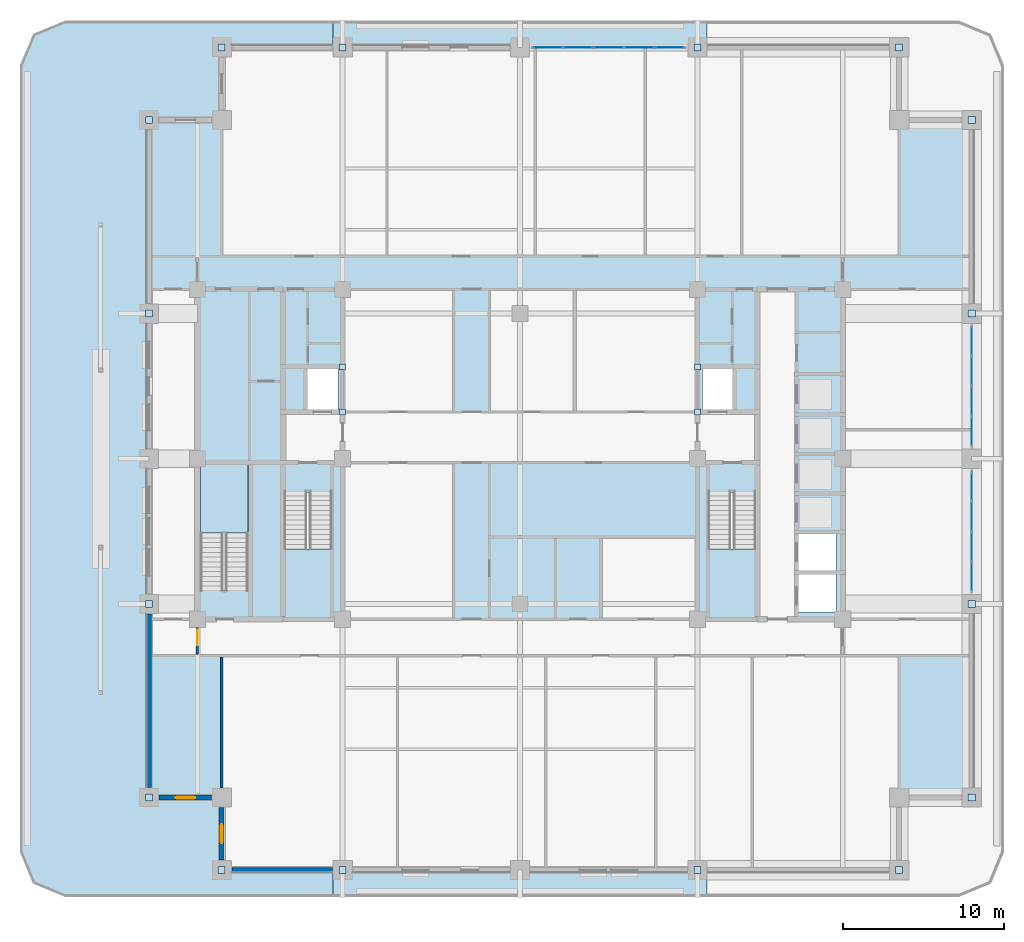
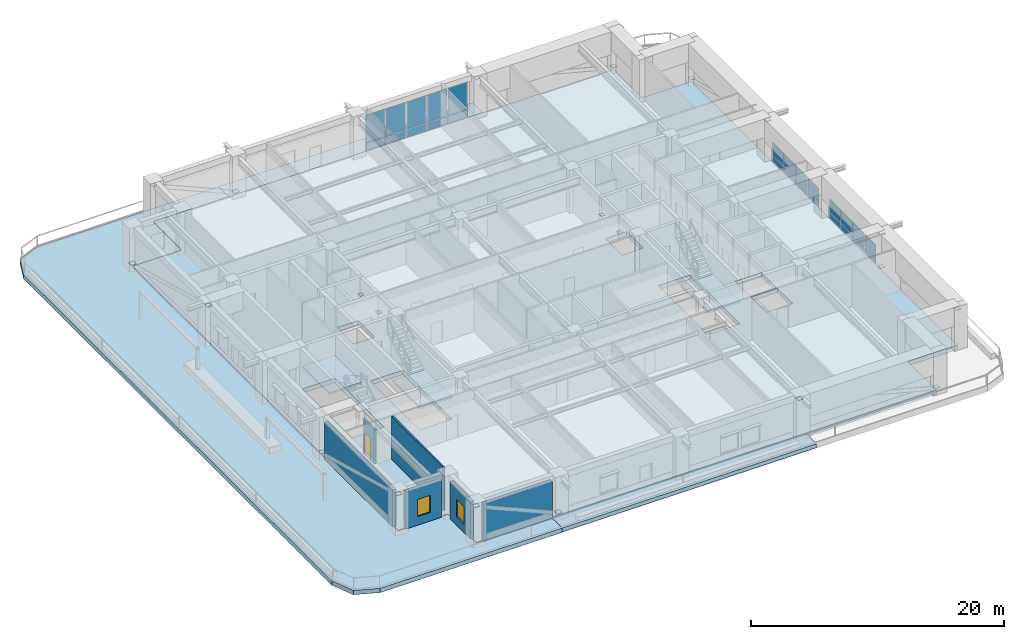
# One storey, part 7 of 21: 46 plates, 7 slabs, 6 walls, 2 windows, 1 door, 3 openings, 6 elements without a shape of their own.
"""IFC4 building model written with IfcOpenShell, lengths in metres."""

from ifc_helpers import new_model, si_unit, direction, frame, frame_2d, origin, origin_2d, place, context, subcontext, project, spatial, polyline, rectangle, outline, extrude, material, layer, layer_set, type_object, element, fill, aggregate, save


model = new_model("IFC4")

# Units and contexts
model_context = context("Model", 3, precision=1e-05, world=origin(), true_north=direction((0.0, 1.0)))
body_context = subcontext(model_context, "Body", "Model", "MODEL_VIEW")
ifc_project = project(units=[si_unit("LENGTHUNIT", "METRE"), si_unit("AREAUNIT", "SQUARE_METRE"), si_unit("VOLUMEUNIT", "CUBIC_METRE"), si_unit("PLANEANGLEUNIT", "RADIAN"), si_unit("MASSUNIT", "GRAM", prefix="KILO")], contexts=[model_context])

# Site, building, storey
site_placement = place(None, origin())
site = spatial("IfcSite", under=ifc_project, at=site_placement, CompositionType="ELEMENT")
building_placement = place(site_placement, origin())
building = spatial("IfcBuilding", under=site, at=building_placement, Name="Zulmaris Gate Convention Tower", CompositionType="ELEMENT")
storey_placement = place(building_placement, frame((0.0, 0.0, 86.93994140625)))
storey = spatial("IfcBuildingStorey", under=building, at=storey_placement, Name="L21", CompositionType="ELEMENT", Elevation=86.93994140625)

# Curtain wall, plates
ifc_material_1 = material(Name="Anodised Aluminium", Category="aluminium")
curtain_wall_type = type_object("IfcCurtainWallType", Name="CW-04", PredefinedType="NOTDEFINED", material=ifc_material_1)
curtain_wall_1_placement = place(storey_placement, origin())
curtain_wall_1 = element("IfcCurtainWall", 1, at=curtain_wall_1_placement, inside=storey, type_object=curtain_wall_type, Name="CW-04 CW04-L21-N-2_0", PredefinedType="NOTDEFINED")
ifc_material_2 = material(Name="Low-E Double Glazing", Category="glass")
ifc_layer_1 = layer(ifc_material_2, 0.028076171875, Name="Low-E Double Glazing")
ifc_layer_set_1 = layer_set([ifc_layer_1], Name="Low-E Double Glazing")
plate_type_1 = type_object("IfcPlateType", Name="CW-04-VISION", PredefinedType="CURTAIN_PANEL", material=ifc_layer_set_1)
plate_1_placement = place(storey_placement, frame((9.26953125, 25.5, 0.074951171875), z_axis=(0.0, 0.0, 1.0), x_axis=(-1.0, 0.0, 0.0)))
plate_1 = element("IfcPlate", 2, at=plate_1_placement, type_object=plate_type_1, Name="CW-04 panel 1.1", PredefinedType="CURTAIN_PANEL", context=body_context, shape_type="SweptSolid", body=[
    extrude(rectangle(XDim=1.760986328125, YDim=0.028076171875, at=origin_2d()), origin(), (0.0, 0.0, 1.0), 0.6875),
])
plate_2_placement = place(storey_placement, frame((9.26953125, 25.5, 0.83740234375), z_axis=(0.0, 0.0, 1.0), x_axis=(-1.0, 0.0, 0.0)))
plate_2 = element("IfcPlate", 3, at=plate_2_placement, type_object=plate_type_1, Name="CW-04 panel 1.2", PredefinedType="CURTAIN_PANEL", context=body_context, shape_type="SweptSolid", body=[
    extrude(rectangle(XDim=1.760986328125, YDim=0.028076171875, at=origin_2d()), origin(), (0.0, 0.0, 1.0), 2.6494140625),
])
plate_3_placement = place(storey_placement, frame((7.39599609375, 25.5, 0.074951171875), z_axis=(0.0, 0.0, 1.0), x_axis=(-1.0, 0.0, 0.0)))
plate_3 = element("IfcPlate", 4, at=plate_3_placement, type_object=plate_type_1, Name="CW-04 panel 2.1", PredefinedType="CURTAIN_PANEL", context=body_context, shape_type="SweptSolid", body=[
    extrude(rectangle(XDim=1.805908203125, YDim=0.028076171875, at=origin_2d()), origin(), (0.0, 0.0, 1.0), 0.6875),
])
plate_4_placement = place(storey_placement, frame((7.39599609375, 25.5, 0.83740234375), z_axis=(0.0, 0.0, 1.0), x_axis=(-1.0, 0.0, 0.0)))
plate_4 = element("IfcPlate", 5, at=plate_4_placement, type_object=plate_type_1, Name="CW-04 panel 2.2", PredefinedType="CURTAIN_PANEL", context=body_context, shape_type="SweptSolid", body=[
    extrude(rectangle(XDim=1.805908203125, YDim=0.028076171875, at=origin_2d()), origin(), (0.0, 0.0, 1.0), 2.6494140625),
])
plate_5_placement = place(storey_placement, frame((5.5, 25.5, 0.074951171875), z_axis=(0.0, 0.0, 1.0), x_axis=(-1.0, 0.0, 0.0)))
plate_5 = element("IfcPlate", 6, at=plate_5_placement, type_object=plate_type_1, Name="CW-04 panel 3.1", PredefinedType="CURTAIN_PANEL", context=body_context, shape_type="SweptSolid", body=[
    extrude(rectangle(XDim=1.805908203125, YDim=0.028076171875, at=origin_2d()), origin(), (0.0, 0.0, 1.0), 0.6875),
])
plate_6_placement = place(storey_placement, frame((5.5, 25.5, 0.83740234375), z_axis=(0.0, 0.0, 1.0), x_axis=(-1.0, 0.0, 0.0)))
plate_6 = element("IfcPlate", 7, at=plate_6_placement, type_object=plate_type_1, Name="CW-04 panel 3.2", PredefinedType="CURTAIN_PANEL", context=body_context, shape_type="SweptSolid", body=[
    extrude(rectangle(XDim=1.805908203125, YDim=0.028076171875, at=origin_2d()), origin(), (0.0, 0.0, 1.0), 2.6494140625),
])
plate_7_placement = place(storey_placement, frame((3.60400390625, 25.5, 0.074951171875), z_axis=(0.0, 0.0, 1.0), x_axis=(-1.0, 0.0, 0.0)))
plate_7 = element("IfcPlate", 8, at=plate_7_placement, type_object=plate_type_1, Name="CW-04 panel 4.1", PredefinedType="CURTAIN_PANEL", context=body_context, shape_type="SweptSolid", body=[
    extrude(rectangle(XDim=1.805908203125, YDim=0.028076171875, at=origin_2d()), origin(), (0.0, 0.0, 1.0), 0.6875),
])
plate_8_placement = place(storey_placement, frame((3.60400390625, 25.5, 0.83740234375), z_axis=(0.0, 0.0, 1.0), x_axis=(-1.0, 0.0, 0.0)))
plate_8 = element("IfcPlate", 9, at=plate_8_placement, type_object=plate_type_1, Name="CW-04 panel 4.2", PredefinedType="CURTAIN_PANEL", context=body_context, shape_type="SweptSolid", body=[
    extrude(rectangle(XDim=1.805908203125, YDim=0.028076171875, at=origin_2d()), origin(), (0.0, 0.0, 1.0), 2.6494140625),
])
plate_9_placement = place(storey_placement, frame((1.73046875, 25.5, 0.074951171875), z_axis=(0.0, 0.0, 1.0), x_axis=(-1.0, 0.0, 0.0)))
plate_9 = element("IfcPlate", 10, at=plate_9_placement, type_object=plate_type_1, Name="CW-04 panel 5.1", PredefinedType="CURTAIN_PANEL", context=body_context, shape_type="SweptSolid", body=[
    extrude(rectangle(XDim=1.760986328125, YDim=0.028076171875, at=origin_2d()), origin(), (0.0, 0.0, 1.0), 0.6875),
])
plate_10_placement = place(storey_placement, frame((1.73046875, 25.5, 0.83740234375), z_axis=(0.0, 0.0, 1.0), x_axis=(-1.0, 0.0, 0.0)))
plate_10 = element("IfcPlate", 11, at=plate_10_placement, type_object=plate_type_1, Name="CW-04 panel 5.2", PredefinedType="CURTAIN_PANEL", context=body_context, shape_type="SweptSolid", body=[
    extrude(rectangle(XDim=1.760986328125, YDim=0.028076171875, at=origin_2d()), origin(), (0.0, 0.0, 1.0), 2.6494140625),
])
aggregate(curtain_wall_1, [plate_1, plate_2, plate_3, plate_4, plate_5, plate_6, plate_7, plate_8, plate_9, plate_10])

curtain_wall_2_placement = place(storey_placement, origin())
curtain_wall_2 = element("IfcCurtainWall", 12, at=curtain_wall_2_placement, inside=storey, type_object=curtain_wall_type, Name="CW-04 CW04-L21-E-1_0", PredefinedType="NOTDEFINED")
plate_11_placement = place(storey_placement, frame((28.0, -7.282470703125, 0.07470703125), z_axis=(0.0, 0.0, 1.0), x_axis=(0.0, 1.0, 0.0)))
plate_11 = element("IfcPlate", 13, at=plate_11_placement, type_object=plate_type_1, Name="CW-04 panel 1.1", PredefinedType="CURTAIN_PANEL", context=body_context, shape_type="SweptSolid", body=[
    extrude(rectangle(XDim=1.735107421875, YDim=0.028076171875, at=origin_2d()), origin(), (0.0, 0.0, 1.0), 0.515380859375),
])
plate_12_placement = place(storey_placement, frame((28.0, -7.282470703125, 0.665283203125), z_axis=(0.0, 0.0, 1.0), x_axis=(0.0, 1.0, 0.0)))
plate_12 = element("IfcPlate", 14, at=plate_12_placement, type_object=plate_type_1, Name="CW-04 panel 1.2", PredefinedType="CURTAIN_PANEL", context=body_context, shape_type="SweptSolid", body=[
    extrude(rectangle(XDim=1.735107421875, YDim=0.028076171875, at=origin_2d()), origin(), (0.0, 0.0, 1.0), 1.2216796875),
])
plate_13_placement = place(storey_placement, frame((28.0, -5.43505859375, 0.07470703125), z_axis=(0.0, 0.0, 1.0), x_axis=(0.0, 1.0, 0.0)))
plate_13 = element("IfcPlate", 15, at=plate_13_placement, type_object=plate_type_1, Name="CW-04 panel 2.1", PredefinedType="CURTAIN_PANEL", context=body_context, shape_type="SweptSolid", body=[
    extrude(rectangle(XDim=1.780029296875, YDim=0.028076171875, at=origin_2d()), origin(), (0.0, 0.0, 1.0), 0.515380859375),
])
plate_14_placement = place(storey_placement, frame((28.0, -5.43505859375, 0.665283203125), z_axis=(0.0, 0.0, 1.0), x_axis=(0.0, 1.0, 0.0)))
plate_14 = element("IfcPlate", 16, at=plate_14_placement, type_object=plate_type_1, Name="CW-04 panel 2.2", PredefinedType="CURTAIN_PANEL", context=body_context, shape_type="SweptSolid", body=[
    extrude(rectangle(XDim=1.780029296875, YDim=0.028076171875, at=origin_2d()), origin(), (0.0, 0.0, 1.0), 1.2216796875),
])
plate_15_placement = place(storey_placement, frame((28.0, -3.56494140625, 0.07470703125), z_axis=(0.0, 0.0, 1.0), x_axis=(0.0, 1.0, 0.0)))
plate_15 = element("IfcPlate", 17, at=plate_15_placement, type_object=plate_type_1, Name="CW-04 panel 3.1", PredefinedType="CURTAIN_PANEL", context=body_context, shape_type="SweptSolid", body=[
    extrude(rectangle(XDim=1.780029296875, YDim=0.028076171875, at=origin_2d()), origin(), (0.0, 0.0, 1.0), 0.515380859375),
])
plate_16_placement = place(storey_placement, frame((28.0, -3.56494140625, 0.665283203125), z_axis=(0.0, 0.0, 1.0), x_axis=(0.0, 1.0, 0.0)))
plate_16 = element("IfcPlate", 18, at=plate_16_placement, type_object=plate_type_1, Name="CW-04 panel 3.2", PredefinedType="CURTAIN_PANEL", context=body_context, shape_type="SweptSolid", body=[
    extrude(rectangle(XDim=1.780029296875, YDim=0.028076171875, at=origin_2d()), origin(), (0.0, 0.0, 1.0), 1.2216796875),
])
plate_17_placement = place(storey_placement, frame((28.0, -1.717529296875, 0.07470703125), z_axis=(0.0, 0.0, 1.0), x_axis=(0.0, 1.0, 0.0)))
plate_17 = element("IfcPlate", 19, at=plate_17_placement, type_object=plate_type_1, Name="CW-04 panel 4.1", PredefinedType="CURTAIN_PANEL", context=body_context, shape_type="SweptSolid", body=[
    extrude(rectangle(XDim=1.735107421875, YDim=0.028076171875, at=origin_2d()), origin(), (0.0, 0.0, 1.0), 0.515380859375),
])
plate_18_placement = place(storey_placement, frame((28.0, -1.717529296875, 0.665283203125), z_axis=(0.0, 0.0, 1.0), x_axis=(0.0, 1.0, 0.0)))
plate_18 = element("IfcPlate", 20, at=plate_18_placement, type_object=plate_type_1, Name="CW-04 panel 4.2", PredefinedType="CURTAIN_PANEL", context=body_context, shape_type="SweptSolid", body=[
    extrude(rectangle(XDim=1.735107421875, YDim=0.028076171875, at=origin_2d()), origin(), (0.0, 0.0, 1.0), 1.2216796875),
])
aggregate(curtain_wall_2, [plate_11, plate_12, plate_13, plate_14, plate_15, plate_16, plate_17, plate_18])

curtain_wall_3_placement = place(storey_placement, origin())
curtain_wall_3 = element("IfcCurtainWall", 21, at=curtain_wall_3_placement, inside=storey, type_object=curtain_wall_type, Name="CW-04 CW04-L21-E-2_0", PredefinedType="NOTDEFINED")
plate_19_placement = place(storey_placement, frame((28.0, 1.717529296875, 0.07470703125), z_axis=(0.0, 0.0, 1.0), x_axis=(0.0, 1.0, 0.0)))
plate_19 = element("IfcPlate", 22, at=plate_19_placement, type_object=plate_type_1, Name="CW-04 panel 1.1", PredefinedType="CURTAIN_PANEL", context=body_context, shape_type="SweptSolid", body=[
    extrude(rectangle(XDim=1.735107421875, YDim=0.028076171875, at=origin_2d()), origin(), (0.0, 0.0, 1.0), 0.515380859375),
])
plate_20_placement = place(storey_placement, frame((28.0, 1.717529296875, 0.665283203125), z_axis=(0.0, 0.0, 1.0), x_axis=(0.0, 1.0, 0.0)))
plate_20 = element("IfcPlate", 23, at=plate_20_placement, type_object=plate_type_1, Name="CW-04 panel 1.2", PredefinedType="CURTAIN_PANEL", context=body_context, shape_type="SweptSolid", body=[
    extrude(rectangle(XDim=1.735107421875, YDim=0.028076171875, at=origin_2d()), origin(), (0.0, 0.0, 1.0), 1.2216796875),
])
plate_21_placement = place(storey_placement, frame((28.0, 3.56494140625, 0.07470703125), z_axis=(0.0, 0.0, 1.0), x_axis=(0.0, 1.0, 0.0)))
plate_21 = element("IfcPlate", 24, at=plate_21_placement, type_object=plate_type_1, Name="CW-04 panel 2.1", PredefinedType="CURTAIN_PANEL", context=body_context, shape_type="SweptSolid", body=[
    extrude(rectangle(XDim=1.780029296875, YDim=0.028076171875, at=origin_2d()), origin(), (0.0, 0.0, 1.0), 0.515380859375),
])
plate_22_placement = place(storey_placement, frame((28.0, 3.56494140625, 0.665283203125), z_axis=(0.0, 0.0, 1.0), x_axis=(0.0, 1.0, 0.0)))
plate_22 = element("IfcPlate", 25, at=plate_22_placement, type_object=plate_type_1, Name="CW-04 panel 2.2", PredefinedType="CURTAIN_PANEL", context=body_context, shape_type="SweptSolid", body=[
    extrude(rectangle(XDim=1.780029296875, YDim=0.028076171875, at=origin_2d()), origin(), (0.0, 0.0, 1.0), 1.2216796875),
])
plate_23_placement = place(storey_placement, frame((28.0, 5.43505859375, 0.07470703125), z_axis=(0.0, 0.0, 1.0), x_axis=(0.0, 1.0, 0.0)))
plate_23 = element("IfcPlate", 26, at=plate_23_placement, type_object=plate_type_1, Name="CW-04 panel 3.1", PredefinedType="CURTAIN_PANEL", context=body_context, shape_type="SweptSolid", body=[
    extrude(rectangle(XDim=1.780029296875, YDim=0.028076171875, at=origin_2d()), origin(), (0.0, 0.0, 1.0), 0.515380859375),
])
plate_24_placement = place(storey_placement, frame((28.0, 5.43505859375, 0.665283203125), z_axis=(0.0, 0.0, 1.0), x_axis=(0.0, 1.0, 0.0)))
plate_24 = element("IfcPlate", 27, at=plate_24_placement, type_object=plate_type_1, Name="CW-04 panel 3.2", PredefinedType="CURTAIN_PANEL", context=body_context, shape_type="SweptSolid", body=[
    extrude(rectangle(XDim=1.780029296875, YDim=0.028076171875, at=origin_2d()), origin(), (0.0, 0.0, 1.0), 1.2216796875),
])
plate_25_placement = place(storey_placement, frame((28.0, 7.282470703125, 0.07470703125), z_axis=(0.0, 0.0, 1.0), x_axis=(0.0, 1.0, 0.0)))
plate_25 = element("IfcPlate", 28, at=plate_25_placement, type_object=plate_type_1, Name="CW-04 panel 4.1", PredefinedType="CURTAIN_PANEL", context=body_context, shape_type="SweptSolid", body=[
    extrude(rectangle(XDim=1.735107421875, YDim=0.028076171875, at=origin_2d()), origin(), (0.0, 0.0, 1.0), 0.515380859375),
])
plate_26_placement = place(storey_placement, frame((28.0, 7.282470703125, 0.665283203125), z_axis=(0.0, 0.0, 1.0), x_axis=(0.0, 1.0, 0.0)))
plate_26 = element("IfcPlate", 29, at=plate_26_placement, type_object=plate_type_1, Name="CW-04 panel 4.2", PredefinedType="CURTAIN_PANEL", context=body_context, shape_type="SweptSolid", body=[
    extrude(rectangle(XDim=1.735107421875, YDim=0.028076171875, at=origin_2d()), origin(), (0.0, 0.0, 1.0), 1.2216796875),
])
aggregate(curtain_wall_3, [plate_19, plate_20, plate_21, plate_22, plate_23, plate_24, plate_25, plate_26])

# Plates
ifc_material_3 = material(Name="Steel S460", Category="steel")
ifc_layer_2 = layer(ifc_material_3, 0.02197265625, Name="Steel S460")
ifc_layer_set_2 = layer_set([ifc_layer_2], Name="Steel S460")
plate_type_2 = type_object("IfcPlateType", Name="NP-CAP-360", PredefinedType="USERDEFINED", material=ifc_layer_set_2)
for number, where, z_axis, x_axis, name in (
    (30, (-11.0, 2.89990234375, 2.3388671875), (0.0, 0.0, 1.0), (1.0, 0.0, 0.0), "L21 Steel Node Plate LN-L21-1-CAP0"),
    (31, (-11.0, 5.699951171875, 2.3388671875), (0.0, 0.0, 1.0), (1.0, 0.0, 0.0), "L21 Steel Node Plate LN-L21-1-CAP1"),
    (32, (11.0, 2.89990234375, 2.3388671875), (0.0, 0.0, 1.0), (1.0, 0.0, 0.0), "L21 Steel Node Plate LN-L21-2-CAP0"),
    (33, (11.0, 5.699951171875, 2.3388671875), (0.0, 0.0, 1.0), (1.0, 0.0, 0.0), "L21 Steel Node Plate LN-L21-2-CAP1"),
):
    element("IfcPlate", number, at=place(storey_placement, frame(where, z_axis=z_axis, x_axis=x_axis)), inside=storey, type_object=plate_type_2, Name=name, ObjectType="FLANGE PLATE", PredefinedType="USERDEFINED", context=body_context, shape_type="SweptSolid", body=[
        extrude(rectangle(XDim=0.360107421875, YDim=0.360107421875, at=origin_2d()), origin(), (0.0, 0.0, 1.0), 0.02197265625),
    ])
ifc_layer_3 = layer(ifc_material_3, 0.02490234375, Name="Steel S460")
ifc_layer_set_3 = layer_set([ifc_layer_3], Name="Steel S460")
plate_type_3 = type_object("IfcPlateType", Name="NP-CAP-440", PredefinedType="USERDEFINED", material=ifc_layer_set_3)
for number, where, z_axis, x_axis, name in (
    (34, (-23.0, -9.0, 0.28759765625), (0.0, 0.0, 1.0), (1.0, 0.0, 0.0), "L21 Steel Node Plate PBR-L21-SW-W-CAP"),
    (35, (-23.0, -21.0, 3.53759765625), (0.0, 0.0, 1.0), (1.0, 0.0, 0.0), "L21 Steel Node Plate PBR-L21-SW-W-CAPB"),
    (36, (-23.0, 21.0, 0.28759765625), (0.0, 0.0, 1.0), (1.0, 0.0, 0.0), "L21 Steel Node Plate PBR-L21-NW-W-CAP"),
    (37, (-23.0, 9.0, 3.53759765625), (0.0, 0.0, 1.0), (1.0, 0.0, 0.0), "L21 Steel Node Plate PBR-L21-NW-W-CAPB"),
    (38, (28.0, -9.0, 0.28759765625), (0.0, 0.0, 1.0), (1.0, 0.0, 0.0), "L21 Steel Node Plate PBR-L21-SE-E-CAP"),
    (39, (28.0, -21.0, 3.53759765625), (0.0, 0.0, 1.0), (1.0, 0.0, 0.0), "L21 Steel Node Plate PBR-L21-SE-E-CAPB"),
    (40, (28.0, 21.0, 0.28759765625), (0.0, 0.0, 1.0), (1.0, 0.0, 0.0), "L21 Steel Node Plate PBR-L21-NE-E-CAP"),
    (41, (28.0, 9.0, 3.53759765625), (0.0, 0.0, 1.0), (1.0, 0.0, 0.0), "L21 Steel Node Plate PBR-L21-NE-E-CAPB"),
    (42, (-11.0, -25.5, 0.28759765625), (0.0, 0.0, 1.0), (1.0, 0.0, 0.0), "L21 Steel Node Plate PBR-L21-SW-S-CAP"),
    (43, (-18.5, -25.5, 3.53759765625), (0.0, 0.0, 1.0), (1.0, 0.0, 0.0), "L21 Steel Node Plate PBR-L21-SW-S-CAPB"),
    (44, (23.5, -25.5, 0.28759765625), (0.0, 0.0, 1.0), (1.0, 0.0, 0.0), "L21 Steel Node Plate PBR-L21-SE-S-CAP"),
    (45, (11.0, -25.5, 3.53759765625), (0.0, 0.0, 1.0), (1.0, 0.0, 0.0), "L21 Steel Node Plate PBR-L21-SE-S-CAPB"),
    (46, (-11.0, 25.5, 0.28759765625), (0.0, 0.0, 1.0), (1.0, 0.0, 0.0), "L21 Steel Node Plate PBR-L21-NW-N-CAP"),
    (47, (-18.5, 25.5, 3.53759765625), (0.0, 0.0, 1.0), (1.0, 0.0, 0.0), "L21 Steel Node Plate PBR-L21-NW-N-CAPB"),
    (48, (23.5, 25.5, 0.28759765625), (0.0, 0.0, 1.0), (1.0, 0.0, 0.0), "L21 Steel Node Plate PBR-L21-NE-N-CAP"),
    (49, (11.0, 25.5, 3.53759765625), (0.0, 0.0, 1.0), (1.0, 0.0, 0.0), "L21 Steel Node Plate PBR-L21-NE-N-CAPB"),
):
    element("IfcPlate", number, at=place(storey_placement, frame(where, z_axis=z_axis, x_axis=x_axis)), inside=storey, type_object=plate_type_3, Name=name, ObjectType="FLANGE PLATE", PredefinedType="USERDEFINED", context=body_context, shape_type="SweptSolid", body=[
        extrude(rectangle(XDim=0.43994140625, YDim=0.43994140625, at=origin_2d()), origin(), (0.0, 0.0, 1.0), 0.02490234375),
    ])

# Slab
ifc_material_4 = material(Name="Concrete C60/75", Category="concrete")
ifc_layer_4 = layer(ifc_material_4, 0.425048828125, Name="Concrete C60/75")
ifc_layer_set_4 = layer_set([ifc_layer_4], Name="Concrete C60/75")
slab_type_1 = type_object("IfcSlabType", Name="SL-FLR-425", PredefinedType="FLOOR", material=ifc_layer_set_4)
slab_1_placement = place(storey_placement, frame((0.0, 0.0, -0.425048828125)))
element("IfcSlab", 50, at=slab_1_placement, inside=storey, type_object=slab_type_1, Name="L21 Shifted Notched-Square Structural Floor Slab", PredefinedType="FLOOR", context=body_context, shape_type="SweptSolid", body=[
    extrude(outline(polyline([(-18.5, -25.5), (23.5, -25.5), (23.5, -21.0), (28.0, -21.0), (28.0, 21.0), (23.5, 21.0), (23.5, 25.5), (-18.5, 25.5), (-18.5, 21.0), (-23.0, 21.0), (-23.0, -21.0), (-18.5, -21.0), (-18.5, -25.5)]), holes=[polyline([(-14.6201171875, -2.080078125), (-14.6201171875, -9.85009765625), (-11.659912109375, -9.85009765625), (-11.659912109375, -2.080078125), (-14.6201171875, -2.080078125)]), polyline([(11.659912109375, -2.080078125), (11.659912109375, -9.85009765625), (14.6201171875, -9.85009765625), (14.6201171875, -2.080078125), (11.659912109375, -2.080078125)]), polyline([(-16.860107421875, -8.1201171875), (-16.860107421875, -0.35009765625), (-19.820068359375, -0.35009765625), (-19.820068359375, -8.1201171875), (-16.860107421875, -8.1201171875)]), polyline([(-13.199951171875, 3.0), (-11.300048828125, 3.0), (-11.300048828125, 5.60009765625), (-13.199951171875, 5.60009765625), (-13.199951171875, 3.0)]), polyline([(11.300048828125, 3.0), (13.199951171875, 3.0), (13.199951171875, 5.60009765625), (11.300048828125, 5.60009765625), (11.300048828125, 3.0)]), polyline([(17.199951171875, -9.5), (19.60009765625, -9.5), (19.60009765625, -7.10009765625), (17.199951171875, -7.10009765625), (17.199951171875, -9.5)]), polyline([(17.199951171875, -7.0), (19.60009765625, -7.0), (19.60009765625, -4.60009765625), (17.199951171875, -4.60009765625), (17.199951171875, -7.0)])]), origin(), (0.0, 0.0, 1.0), 0.425048828125),
])

# Stair, slab
ifc_material_5 = material(Name="Concrete C45/55", Category="concrete")
stair_type = type_object("IfcStairType", Name="ST-CORE-DOGLEG", PredefinedType="HALF_TURN_STAIR", material=ifc_material_5)
stair_1_placement = place(storey_placement, origin())
stair_1 = element("IfcStair", 51, at=stair_1_placement, inside=storey, type_object=stair_type, Name="L21 Core Exit Stair ST-1", PredefinedType="HALF_TURN_STAIR")
ifc_layer_5 = layer(ifc_material_5, 0.199951171875, Name="Concrete C45/55")
ifc_layer_set_5 = layer_set([ifc_layer_5], Name="Concrete C45/55")
slab_type_2 = type_object("IfcSlabType", Name="SL-LND-200", PredefinedType="LANDING", material=ifc_layer_set_5)
slab_2_placement = place(storey_placement, frame((0.0, 0.0, 2.010009765625)))
slab_2 = element("IfcSlab", 52, at=slab_2_placement, type_object=slab_type_2, Name="ST-1 landing 1", PredefinedType="LANDING", context=body_context, shape_type="SweptSolid", body=[
    extrude(outline(polyline([(-14.6201171875, -5.60009765625), (-14.6201171875, -9.85009765625), (-11.659912109375, -9.85009765625), (-11.659912109375, -5.60009765625), (-14.6201171875, -5.60009765625)])), origin(), (0.0, 0.0, 1.0), 0.199951171875),
])
aggregate(stair_1, [slab_2])

stair_2_placement = place(storey_placement, origin())
stair_2 = element("IfcStair", 53, at=stair_2_placement, inside=storey, type_object=stair_type, Name="L21 Core Exit Stair ST-2", PredefinedType="HALF_TURN_STAIR")
slab_3_placement = place(storey_placement, frame((0.0, 0.0, 2.010009765625)))
slab_3 = element("IfcSlab", 54, at=slab_3_placement, type_object=slab_type_2, Name="ST-2 landing 1", PredefinedType="LANDING", context=body_context, shape_type="SweptSolid", body=[
    extrude(outline(polyline([(11.659912109375, -5.60009765625), (11.659912109375, -9.85009765625), (14.6201171875, -9.85009765625), (14.6201171875, -5.60009765625), (11.659912109375, -5.60009765625)])), origin(), (0.0, 0.0, 1.0), 0.199951171875),
])
aggregate(stair_2, [slab_3])

stair_3_placement = place(storey_placement, origin())
stair_3 = element("IfcStair", 55, at=stair_3_placement, inside=storey, type_object=stair_type, Name="L21 Core Exit Stair ST-3", PredefinedType="HALF_TURN_STAIR")
slab_4_placement = place(storey_placement, frame((0.0, 0.0, 2.010009765625)))
slab_4 = element("IfcSlab", 56, at=slab_4_placement, type_object=slab_type_2, Name="ST-3 landing 1", PredefinedType="LANDING", context=body_context, shape_type="SweptSolid", body=[
    extrude(outline(polyline([(-16.860107421875, -4.60009765625), (-16.860107421875, -0.35009765625), (-19.820068359375, -0.35009765625), (-19.820068359375, -4.60009765625), (-16.860107421875, -4.60009765625)])), origin(), (0.0, 0.0, 1.0), 0.199951171875),
])
aggregate(stair_3, [slab_4])

# Slabs
ifc_material_6 = material(Name="Concrete C50/60", Category="concrete")
ifc_layer_6 = layer(ifc_material_6, 0.300048828125, Name="Concrete C50/60")
ifc_layer_set_6 = layer_set([ifc_layer_6], Name="Concrete C50/60")
slab_type_3 = type_object("IfcSlabType", Name="SL-SG-300", PredefinedType="FLOOR", material=ifc_layer_set_6)
slab_5_placement = place(storey_placement, frame((0.0, 0.0, -0.425048828125)))
element("IfcSlab", 57, at=slab_5_placement, inside=storey, type_object=slab_type_3, Name="L21 South Tree-Balcony Planter Slab", PredefinedType="FLOOR", context=body_context, shape_type="SweptSolid", body=[
    extrude(outline(polyline([(-11.597900390625, -27.14990234375), (-11.597900390625, -25.5), (11.597900390625, -25.5), (11.597900390625, -27.14990234375), (-11.597900390625, -27.14990234375)])), origin(), (0.0, 0.0, 1.0), 0.385009765625),
])
slab_6_placement = place(storey_placement, frame((0.0, 0.0, -0.425048828125)))
element("IfcSlab", 58, at=slab_6_placement, inside=storey, type_object=slab_type_3, Name="L21 North Tree-Balcony Planter Slab", PredefinedType="FLOOR", context=body_context, shape_type="SweptSolid", body=[
    extrude(outline(polyline([(11.597900390625, 27.14990234375), (11.597900390625, 25.5), (-11.597900390625, 25.5), (-11.597900390625, 27.14990234375), (11.597900390625, 27.14990234375)])), origin(), (0.0, 0.0, 1.0), 0.385009765625),
])
ifc_layer_7 = layer(ifc_material_6, 0.419921875, Name="Concrete C50/60")
ifc_layer_set_7 = layer_set([ifc_layer_7], Name="Concrete C50/60")
slab_type_4 = type_object("IfcSlabType", Name="SL-SG-420", PredefinedType="FLOOR", material=ifc_layer_set_7)
slab_7_placement = place(storey_placement, frame((0.0, 0.0, -0.4599609375)))
element("IfcSlab", 59, at=slab_7_placement, inside=storey, type_object=slab_type_4, Name="L21 West Block-End Planted Roof Terrace Slab", PredefinedType="FLOOR", context=body_context, shape_type="SweptSolid", body=[
    extrude(outline(polyline([(-31.0, 24.35009765625), (-30.179931640625, 26.329833984375), (-28.199951171875, 27.14990234375), (-11.60205078125, 27.14990234375), (-11.60205078125, 25.5), (-18.5, 25.5), (-18.5, 21.0), (-23.0, 21.0), (-23.0, -21.0), (-18.5, -21.0), (-18.5, -25.5), (-11.60205078125, -25.5), (-11.60205078125, -27.14990234375), (-28.199951171875, -27.14990234375), (-30.179931640625, -26.329833984375), (-31.0, -24.35009765625), (-31.0, 24.35009765625)])), origin(), (0.0, 0.0, 1.0), 0.419921875),
])

# Wall, opening, door
ifc_material_7 = material(Name="Gypsum Metal Stud Partition")
ifc_layer_8 = layer(ifc_material_7, 0.14990234375, Name="Gypsum Metal Stud Partition")
ifc_layer_set_8 = layer_set([ifc_layer_8], Name="Gypsum Metal Stud Partition")
wall_type_1 = type_object("IfcWallType", Name="PART-150", PredefinedType="PARTITIONING", material=ifc_layer_set_8)
wall_1_placement = place(storey_placement, frame((-20.0, -12.1220703125, 0.0), z_axis=(0.0, 0.0, 1.0), x_axis=(0.0, 1.0, 0.0)))
wall_1 = element("IfcWall", 60, at=wall_1_placement, inside=storey, type_object=wall_type_1, Name="WL-L21-073", PredefinedType="PARTITIONING", context=body_context, shape_type="SweptSolid", body=[
    extrude(rectangle(XDim=1.666015625, YDim=0.14990234375, at=frame_2d((0.8330078125, 0.0))), origin(), (0.0, 0.0, 1.0), 3.35986328125),
])
opening_1_placement = place(wall_1_placement, frame((0.56591796875, 0.0, 0.0)))
opening_1 = element("IfcOpeningElement", 61, at=opening_1_placement, cuts=wall_1, Name="Opening D-11", PredefinedType="OPENING", context=body_context, shape_type="SweptSolid", body=[
    extrude(rectangle(XDim=0.949951171875, YDim=2.14990234375, at=frame_2d((0.47509765625, 1.074951171875))), frame((0.0, 0.0849609375, 0.0), z_axis=(0.0, -1.0, 0.0), x_axis=(1.0, 0.0, 0.0)), (0.0, 0.0, 1.0), 0.169921875),
])
ifc_material_8 = material(Name="Fire-Rated Timber", Category="wood")
door_type = type_object("IfcDoorType", Name="DR-950-FD", OperationType="NOTDEFINED", PredefinedType="DOOR", material=ifc_material_8)
door_placement = place(opening_1_placement, origin())
door = element("IfcDoor", 62, at=door_placement, inside=storey, type_object=door_type, Name="L21 SW Spur Door 50", OperationType="SINGLE_SWING_RIGHT", OverallHeight=2.14990234375, OverallWidth=0.949951171875, PredefinedType="DOOR", context=body_context, shape_type="SweptSolid", body=[
    extrude(rectangle(XDim=0.949951171875, YDim=2.14990234375, at=frame_2d((0.47509765625, 1.074951171875))), frame((0.0, 0.02490234375, 0.0), z_axis=(0.0, -1.0, 0.0), x_axis=(1.0, 0.0, 0.0)), (0.0, 0.0, 1.0), 0.050048828125),
])
fill(opening_1, door)

# Wall
wall_2_placement = place(storey_placement, frame((-18.5, -20.39404296875, 0.0), z_axis=(0.0, 0.0, 1.0), x_axis=(0.0, 1.0, 0.0)))
element("IfcWall", 63, at=wall_2_placement, inside=storey, type_object=wall_type_1, Name="WL-L21-075", PredefinedType="PARTITIONING", context=body_context, shape_type="SweptSolid", body=[
    extrude(rectangle(XDim=8.115966796875, YDim=0.14990234375, at=frame_2d((4.05810546875, 0.0))), origin(), (0.0, 0.0, 1.0), 4.169921875),
])

# Wall, opening, window
ifc_material_9 = material(Name="Precast concrete C40/50", Category="concrete")
ifc_layer_9 = layer(ifc_material_9, 0.300048828125, Name="Precast concrete C40/50")
ifc_layer_set_9 = layer_set([ifc_layer_9], Name="Precast concrete C40/50")
wall_type_2 = type_object("IfcWallType", Name="PRECAST-PIER-300", PredefinedType="STANDARD", material=ifc_layer_set_9)
wall_3_placement = place(storey_placement, frame((-22.3701171875, -21.0, 0.0), z_axis=(0.0, 0.0, 1.0), x_axis=(1.0, 0.0, 0.0)))
wall_3 = element("IfcWall", 64, at=wall_3_placement, inside=storey, type_object=wall_type_2, Name="EW-L21-NOTCH-SW1_0", PredefinedType="STANDARD", context=body_context, shape_type="SweptSolid", body=[
    extrude(rectangle(XDim=3.240234375, YDim=0.300048828125, at=frame_2d((1.6201171875, 0.0))), origin(), (0.0, 0.0, 1.0), 3.56201171875),
])
opening_2_placement = place(wall_3_placement, frame((1.02001953125, 0.0, 0.820068359375)))
opening_2 = element("IfcOpeningElement", 65, at=opening_2_placement, cuts=wall_3, Name="Opening W-04", PredefinedType="OPENING", context=body_context, shape_type="SweptSolid", body=[
    extrude(rectangle(XDim=1.199951171875, YDim=1.64990234375, at=frame_2d((0.60009765625, 0.824951171875))), frame((0.0, 0.16015625, 0.0), z_axis=(0.0, -1.0, 0.0), x_axis=(1.0, 0.0, 0.0)), (0.0, 0.0, 1.0), 0.320068359375),
])
ifc_material_10 = material(Name="Low-E Laminated Double Glazing in Aluminium Frame", Category="aluminium")
window_type = type_object("IfcWindowType", Name="WIN-1200x2100", PartitioningType="SINGLE_PANEL", PredefinedType="WINDOW", material=ifc_material_10)
window_1_placement = place(opening_2_placement, origin())
window_1 = element("IfcWindow", 66, at=window_1_placement, inside=storey, type_object=window_type, Name="WN-EW-L21-NOTCH-SW1_0", OverallHeight=1.64990234375, OverallWidth=1.199951171875, PartitioningType="SINGLE_PANEL", PredefinedType="WINDOW", context=body_context, shape_type="SweptSolid", body=[
    extrude(rectangle(XDim=1.199951171875, YDim=1.64990234375, at=frame_2d((0.60009765625, 0.824951171875))), frame((0.0, 0.030029296875, 0.0), z_axis=(0.0, -1.0, 0.0), x_axis=(1.0, 0.0, 0.0)), (0.0, 0.0, 1.0), 0.06005859375),
])
fill(opening_2, window_1)

wall_4_placement = place(storey_placement, frame((-18.5, -21.6298828125, 0.0), z_axis=(0.0, 0.0, 1.0), x_axis=(0.0, -1.0, 0.0)))
wall_4 = element("IfcWall", 67, at=wall_4_placement, inside=storey, type_object=wall_type_2, Name="EW-L21-NOTCH-SW2_0", PredefinedType="STANDARD", context=body_context, shape_type="SweptSolid", body=[
    extrude(rectangle(XDim=3.240234375, YDim=0.300048828125, at=frame_2d((1.6201171875, 0.0))), origin(), (0.0, 0.0, 1.0), 3.56201171875),
])
opening_3_placement = place(wall_4_placement, frame((1.02001953125, 0.0, 0.820068359375)))
opening_3 = element("IfcOpeningElement", 68, at=opening_3_placement, cuts=wall_4, Name="Opening W-04", PredefinedType="OPENING", context=body_context, shape_type="SweptSolid", body=[
    extrude(rectangle(XDim=1.199951171875, YDim=1.64990234375, at=frame_2d((0.60009765625, 0.824951171875))), frame((0.0, 0.16015625, 0.0), z_axis=(0.0, -1.0, 0.0), x_axis=(1.0, 0.0, 0.0)), (0.0, 0.0, 1.0), 0.320068359375),
])
window_2_placement = place(opening_3_placement, origin())
window_2 = element("IfcWindow", 69, at=window_2_placement, inside=storey, type_object=window_type, Name="WN-EW-L21-NOTCH-SW2_0", OverallHeight=1.64990234375, OverallWidth=1.199951171875, PartitioningType="SINGLE_PANEL", PredefinedType="WINDOW", context=body_context, shape_type="SweptSolid", body=[
    extrude(rectangle(XDim=1.199951171875, YDim=1.64990234375, at=frame_2d((0.60009765625, 0.824951171875))), frame((0.0, 0.030029296875, 0.0), z_axis=(0.0, -1.0, 0.0), x_axis=(1.0, 0.0, 0.0)), (0.0, 0.0, 1.0), 0.06005859375),
])
fill(opening_3, window_2)

# Walls
wall_5_placement = place(storey_placement, frame((-17.8701171875, -25.5, 0.0), z_axis=(0.0, 0.0, 1.0), x_axis=(1.0, 0.0, 0.0)))
element("IfcWall", 70, at=wall_5_placement, inside=storey, type_object=wall_type_2, Name="EW-L21-S-0_0", PredefinedType="STANDARD", context=body_context, shape_type="SweptSolid", body=[
    extrude(rectangle(XDim=6.240234375, YDim=0.300048828125, at=frame_2d((3.1201171875, 0.0))), origin(), (0.0, 0.0, 1.0), 3.56201171875),
])
wall_6_placement = place(storey_placement, frame((-23.0, -9.6298828125, 0.0), z_axis=(0.0, 0.0, 1.0), x_axis=(0.0, -1.0, 0.0)))
element("IfcWall", 71, at=wall_6_placement, inside=storey, type_object=wall_type_2, Name="EW-L21-W-0_0", PredefinedType="STANDARD", context=body_context, shape_type="SweptSolid", body=[
    extrude(rectangle(XDim=10.740234375, YDim=0.300048828125, at=frame_2d((5.3701171875, 0.0))), origin(), (0.0, 0.0, 1.0), 3.56201171875),
])

save(model, "model.ifc")
